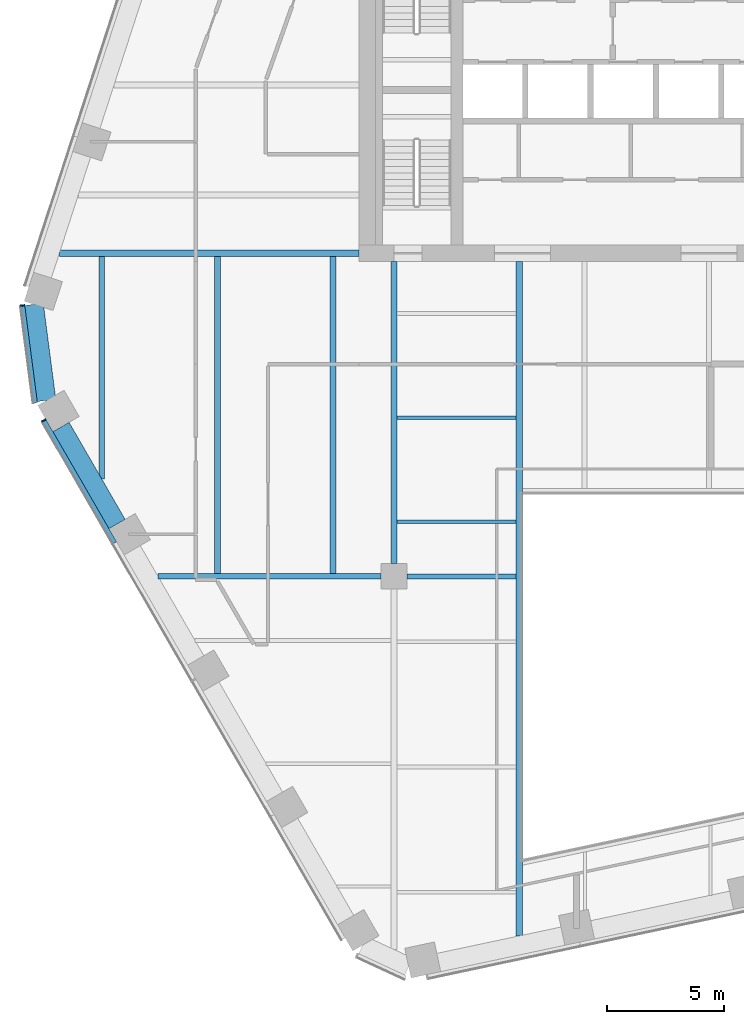
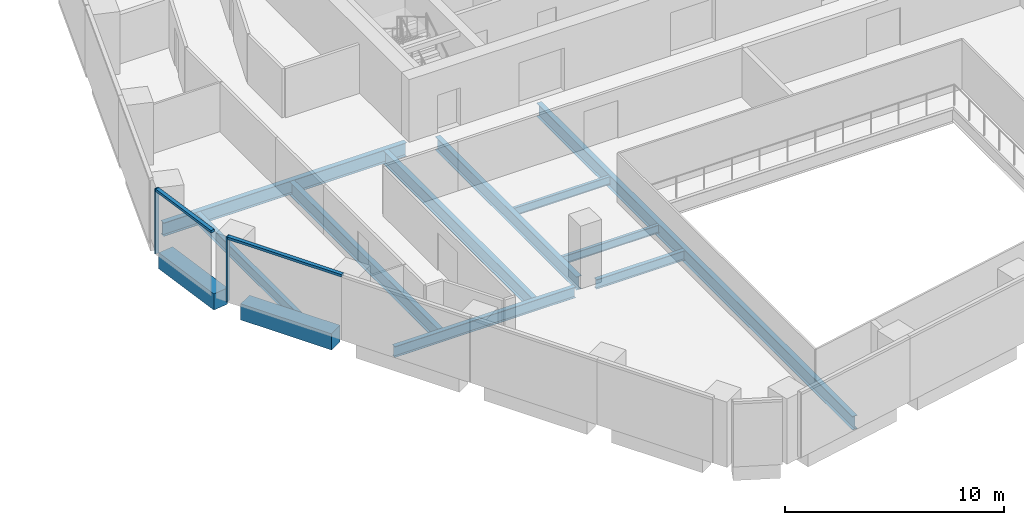
# One storey, part 3 of 17: 12 beams, 4 members, 2 elements without a shape of their own.
"""IFC4 building model written with IfcOpenShell, lengths in metres."""

from ifc_helpers import new_model, si_unit, direction, frame, origin, origin_2d, place, context, subcontext, project, spatial, rectangle, i_section, extrude, material, layer, layer_set, material_profile, profile_set, type_object, element, aggregate, save


model = new_model("IFC4")

# Units and contexts
model_context = context("Model", 3, precision=1e-05, world=origin(), true_north=direction((0.0, 1.0)))
body_context = subcontext(model_context, "Body", "Model", "MODEL_VIEW")
ifc_project = project(units=[si_unit("LENGTHUNIT", "METRE"), si_unit("AREAUNIT", "SQUARE_METRE"), si_unit("VOLUMEUNIT", "CUBIC_METRE"), si_unit("PLANEANGLEUNIT", "RADIAN"), si_unit("MASSUNIT", "GRAM", prefix="KILO")], contexts=[model_context])

# Site, building, storey
site_placement = place(None, origin())
site = spatial("IfcSite", under=ifc_project, at=site_placement, CompositionType="ELEMENT")
building_placement = place(site_placement, origin())
building = spatial("IfcBuilding", under=site, at=building_placement, Name="Isthmus Gate Tower", CompositionType="ELEMENT")
storey_placement = place(building_placement, frame((0.0, 0.0, 181.75)))
storey = spatial("IfcBuildingStorey", under=building, at=storey_placement, Name="L45", CompositionType="ELEMENT", Elevation=181.75)

# Curtain wall, member
ifc_material_1 = material(Name="Aluminium, pale champagne anodised", Category="aluminium")
ifc_layer = layer(ifc_material_1, 0.199951171875)
ifc_layer_set = layer_set([ifc_layer], Name="CW-1 UNITISED CURTAIN WALL 200 DEEP")
curtain_wall_type = type_object("IfcCurtainWallType", Name="CW-1 UNITISED CURTAIN WALL 200 DEEP", PredefinedType="NOTDEFINED", material=ifc_layer_set)
curtain_wall_1_placement = place(storey_placement, origin())
curtain_wall_1 = element("IfcCurtainWall", 1, at=curtain_wall_1_placement, inside=storey, type_object=curtain_wall_type, Name="CW-1 NW-SW L45", PredefinedType="NOTDEFINED")
ifc_material_2 = material(Name="Aluminium, pale champagne anodised", Category="aluminium")
ifc_material_profile_1 = material_profile(ifc_material_2, rectangle(XDim=0.06005859375, YDim=0.199951171875, at=origin_2d()), Name="60x200")
ifc_profile_set_1 = profile_set([ifc_material_profile_1], Name="Aluminium, pale champagne anodised")
member_type_1 = type_object("IfcMemberType", Name="CW-1 MULLION 60 X 200", PredefinedType="MULLION", material=ifc_profile_set_1)
member_1_placement = place(storey_placement, frame((-29.42724609375, -1.88525390625, 0.0), z_axis=(0.0, 0.0, 1.0), x_axis=(0.129164534, -0.991623175988, 0.0)))
member_1 = element("IfcMember", 2, at=member_1_placement, type_object=member_type_1, Name="CW-1 mullion", PredefinedType="MULLION", context=body_context, shape_type="SweptSolid", body=[
    extrude(rectangle(XDim=0.06005859375, YDim=0.199951171875, at=origin_2d()), origin(), (0.0, 0.0, 1.0), 3.64990234375),
])

curtain_wall_2_placement = place(storey_placement, origin())
curtain_wall_2 = element("IfcCurtainWall", 3, at=curtain_wall_2_placement, inside=storey, type_object=curtain_wall_type, Name="CW-1 SW L45", PredefinedType="NOTDEFINED")
member_2_placement = place(storey_placement, frame((-28.5146484375, -6.811279296875, 0.0), z_axis=(0.0, 0.0, 1.0), x_axis=(0.5, -0.866025403784, 0.0)))
member_2 = element("IfcMember", 4, at=member_2_placement, type_object=member_type_1, Name="CW-1 mullion", PredefinedType="MULLION", context=body_context, shape_type="SweptSolid", body=[
    extrude(rectangle(XDim=0.06005859375, YDim=0.199951171875, at=origin_2d()), origin(), (0.0, 0.0, 1.0), 3.64990234375),
])

# Member
ifc_material_3 = material(Name="Aluminium, pale champagne anodised", Category="aluminium")
ifc_material_profile_2 = material_profile(ifc_material_3, rectangle(XDim=0.199951171875, YDim=0.139892578125, at=origin_2d()), Name="200x140")
ifc_profile_set_2 = profile_set([ifc_material_profile_2], Name="Aluminium, pale champagne anodised")
member_type_2 = type_object("IfcMemberType", Name="CW-1 TRANSOM 200 X 140", PredefinedType="USERDEFINED", material=ifc_profile_set_2)
member_3_placement = place(storey_placement, frame((-29.42333984375, -1.9150390625, 3.580078125), z_axis=(0.129149481977, -0.991625136483, 0.0), x_axis=(0.991625136483, 0.129149481977, 0.0)))
member_3 = element("IfcMember", 5, at=member_3_placement, type_object=member_type_2, Name="CW-1 transom", ObjectType="TRANSOM", PredefinedType="USERDEFINED", context=body_context, shape_type="SweptSolid", body=[
    extrude(rectangle(XDim=0.199951171875, YDim=0.139892578125, at=origin_2d()), origin(), (0.0, 0.0, 1.0), 4.181396484375),
])

aggregate(curtain_wall_1, [member_1, member_3])

member_4_placement = place(storey_placement, frame((-28.49951171875, -6.837158203125, 3.580078125), z_axis=(0.499990697366, -0.866030774596, 0.0), x_axis=(0.866030774596, 0.499990697366, 0.0)))
member_4 = element("IfcMember", 6, at=member_4_placement, type_object=member_type_2, Name="CW-1 transom", ObjectType="TRANSOM", PredefinedType="USERDEFINED", context=body_context, shape_type="SweptSolid", body=[
    extrude(rectangle(XDim=0.199951171875, YDim=0.139892578125, at=origin_2d()), origin(), (0.0, 0.0, 1.0), 6.0400390625),
])

aggregate(curtain_wall_2, [member_2, member_4])

# Beams
ifc_material_4 = material(Name="Concrete f'c 60 MPa", Category="concrete")
ifc_material_profile_3 = material_profile(ifc_material_4, rectangle(XDim=0.800048828125, YDim=0.89990234375, at=origin_2d()), Name="RC 800X900")
ifc_profile_set_3 = profile_set([ifc_material_profile_3], Name="Concrete f'c 60 MPa")
beam_type_1 = type_object("IfcBeamType", Name="RC SPANDREL 800 X 900", PredefinedType="SPANDREL", material=ifc_profile_set_3)
beam_1_placement = place(storey_placement, frame((-25.37158203125, -11.255126953125, -0.449951171875), z_axis=(-0.499979284789, 0.866037363387, 0.0), x_axis=(-0.866037363387, -0.499979284789, 0.0)))
element("IfcBeam", 7, at=beam_1_placement, inside=storey, type_object=beam_type_1, Name="str-spandrel-L45-19", PredefinedType="SPANDREL", context=body_context, shape_type="SweptSolid", body=[
    extrude(rectangle(XDim=0.800048828125, YDim=0.89990234375, at=origin_2d()), origin(), (0.0, 0.0, 1.0), 4.800048828125),
])
beam_2_placement = place(storey_placement, frame((-28.392822265625, -5.955810546875, -0.449951171875), z_axis=(-0.129170777359, 0.991622362735, 0.0), x_axis=(-0.991622362735, -0.129170777359, 0.0)))
element("IfcBeam", 8, at=beam_2_placement, inside=storey, type_object=beam_type_1, Name="str-spandrel-L45-20", PredefinedType="SPANDREL", context=body_context, shape_type="SweptSolid", body=[
    extrude(rectangle(XDim=0.800048828125, YDim=0.89990234375, at=origin_2d()), origin(), (0.0, 0.0, 1.0), 4.15234375),
])
ifc_material_5 = material(Name="Structural steel ASTM A992 Gr 50", Category="steel")
ifc_material_profile_4 = material_profile(ifc_material_5, i_section(OverallWidth=0.15234375, OverallDepth=0.45068359375, WebThickness=0.0078125, FlangeThickness=0.010986328125, at=origin_2d()), Name="W18X35")
ifc_profile_set_4 = profile_set([ifc_material_profile_4], Name="Structural steel ASTM A992 Gr 50")
beam_type_2 = type_object("IfcBeamType", Name="STEEL FLOOR BEAM W18X35", PredefinedType="JOIST", material=ifc_profile_set_4)
for number, where, z_axis, x_axis, name in (
    (9, (-13.3681640625, -11.16259765625, -0.37548828125), (1.0, 0.0, 0.0), (0.0, 1.0, 0.0), "str-beam-L45-04-00"),
    (10, (-13.3681640625, -6.697509765625, -0.37548828125), (1.0, 0.0, 0.0), (0.0, 1.0, 0.0), "str-beam-L45-04-01"),
):
    element("IfcBeam", number, at=place(storey_placement, frame(where, z_axis=z_axis, x_axis=x_axis)), inside=storey, type_object=beam_type_2, Name=name, PredefinedType="JOIST", context=body_context, shape_type="SweptSolid", body=[
        extrude(i_section(OverallWidth=0.15234375, OverallDepth=0.45068359375, WebThickness=0.0078125, FlangeThickness=0.010986328125, at=origin_2d()), origin(), (0.0, 0.0, 1.0), 5.1015625),
    ])
ifc_material_6 = material(Name="Structural steel ASTM A992 Gr 50", Category="steel")
ifc_material_profile_5 = material_profile(ifc_material_6, i_section(OverallWidth=0.228515625, OverallDepth=0.603271484375, WebThickness=0.010986328125, FlangeThickness=0.014404296875, at=origin_2d()), Name="W24X68")
ifc_profile_set_5 = profile_set([ifc_material_profile_5], Name="Structural steel ASTM A992 Gr 50")
beam_type_3 = type_object("IfcBeamType", Name="STEEL FLOOR BEAM W24X68", PredefinedType="JOIST", material=ifc_profile_set_5)
beam_3_placement = place(storey_placement, frame((-26.028564453125, -9.317138671875, -0.45166015625), z_axis=(0.0, 1.0, 0.0), x_axis=(-1.0, 0.0, 0.0)))
element("IfcBeam", 11, at=beam_3_placement, inside=storey, type_object=beam_type_3, Name="str-beam-L45-00-00", PredefinedType="JOIST", context=body_context, shape_type="SweptSolid", body=[
    extrude(i_section(OverallWidth=0.228515625, OverallDepth=0.603271484375, WebThickness=0.010986328125, FlangeThickness=0.014404296875, at=origin_2d()), origin(), (0.0, 0.0, 1.0), 9.535400390625),
])
ifc_material_7 = material(Name="Structural steel ASTM A992 Gr 50", Category="steel")
ifc_material_profile_6 = material_profile(ifc_material_7, i_section(OverallWidth=0.263427734375, OverallDepth=0.749267578125, WebThickness=0.0126953125, FlangeThickness=0.015869140625, at=origin_2d()), Name="W30X90")
ifc_profile_set_6 = profile_set([ifc_material_profile_6], Name="Structural steel ASTM A992 Gr 50")
beam_type_4 = type_object("IfcBeamType", Name="STEEL FLOOR BEAM W30X90", PredefinedType="JOIST", material=ifc_profile_set_6)
for number, where, z_axis, x_axis, name in (
    (12, (-21.06982421875, -13.3857421875, -0.524658203125), (0.0, 1.0, 0.0), (-1.0, 0.0, 0.0), "str-beam-L45-00-01"),
    (13, (-16.111083984375, -13.3857421875, -0.524658203125), (0.0, 1.0, 0.0), (-1.0, 0.0, 0.0), "str-beam-L45-00-02"),
):
    element("IfcBeam", number, at=place(storey_placement, frame(where, z_axis=z_axis, x_axis=x_axis)), inside=storey, type_object=beam_type_4, Name=name, PredefinedType="JOIST", context=body_context, shape_type="SweptSolid", body=[
        extrude(i_section(OverallWidth=0.263427734375, OverallDepth=0.749267578125, WebThickness=0.0126953125, FlangeThickness=0.015869140625, at=origin_2d()), origin(), (0.0, 0.0, 1.0), 13.60400390625),
    ])
ifc_material_8 = material(Name="Structural steel ASTM A992 Gr 50", Category="steel")
ifc_material_profile_7 = material_profile(ifc_material_8, i_section(OverallWidth=0.20947265625, OverallDepth=0.533447265625, WebThickness=0.009521484375, FlangeThickness=0.015869140625, at=origin_2d()), Name="W21X62")
ifc_profile_set_7 = profile_set([ifc_material_profile_7], Name="Structural steel ASTM A992 Gr 50")
beam_type_5 = type_object("IfcBeamType", Name="STEEL GIRDER W21X62", PredefinedType="BEAM", material=ifc_profile_set_7)
beam_4_placement = place(storey_placement, frame((-12.949951171875, -13.5, -0.416748046875), z_axis=(1.0, 0.0, 0.0), x_axis=(0.0, 1.0, 0.0)))
element("IfcBeam", 14, at=beam_4_placement, inside=storey, type_object=beam_type_5, Name="str-girder-L45-02", PredefinedType="BEAM", context=body_context, shape_type="SweptSolid", body=[
    extrude(i_section(OverallWidth=0.20947265625, OverallDepth=0.533447265625, WebThickness=0.009521484375, FlangeThickness=0.015869140625, at=origin_2d()), origin(), (0.0, 0.0, 1.0), 4.683349609375),
])
ifc_material_9 = material(Name="Structural steel ASTM A992 Gr 50", Category="steel")
ifc_material_profile_8 = material_profile(ifc_material_9, i_section(OverallWidth=0.228515625, OverallDepth=0.6064453125, WebThickness=0.010986328125, FlangeThickness=0.017578125, at=origin_2d()), Name="W24X76")
ifc_profile_set_8 = profile_set([ifc_material_profile_8], Name="Structural steel ASTM A992 Gr 50")
beam_type_6 = type_object("IfcBeamType", Name="STEEL GIRDER W24X76", PredefinedType="BEAM", material=ifc_profile_set_8)
beam_5_placement = place(storey_placement, frame((-23.613525390625, -13.5, -0.453125), z_axis=(1.0, 0.0, 0.0), x_axis=(0.0, 1.0, 0.0)))
element("IfcBeam", 15, at=beam_5_placement, inside=storey, type_object=beam_type_6, Name="str-girder-L45-01", PredefinedType="BEAM", context=body_context, shape_type="SweptSolid", body=[
    extrude(i_section(OverallWidth=0.228515625, OverallDepth=0.6064453125, WebThickness=0.010986328125, FlangeThickness=0.017578125, at=origin_2d()), origin(), (0.0, 0.0, 1.0), 9.5634765625),
])
ifc_material_10 = material(Name="Structural steel ASTM A992 Gr 50", Category="steel")
ifc_material_profile_9 = material_profile(ifc_material_10, i_section(OverallWidth=0.263427734375, OverallDepth=0.749267578125, WebThickness=0.0126953125, FlangeThickness=0.015869140625, at=origin_2d()), Name="W30X90")
ifc_profile_set_9 = profile_set([ifc_material_profile_9], Name="Structural steel ASTM A992 Gr 50")
beam_type_7 = type_object("IfcBeamType", Name="STEEL GIRDER W30X90", PredefinedType="BEAM", material=ifc_profile_set_9)
beam_6_placement = place(storey_placement, frame((-13.5, -12.949951171875, -0.524658203125), z_axis=(0.0, 1.0, 0.0), x_axis=(-1.0, 0.0, 0.0)))
element("IfcBeam", 16, at=beam_6_placement, inside=storey, type_object=beam_type_7, Name="str-girder-L45-08", PredefinedType="BEAM", context=body_context, shape_type="SweptSolid", body=[
    extrude(i_section(OverallWidth=0.263427734375, OverallDepth=0.749267578125, WebThickness=0.0126953125, FlangeThickness=0.015869140625, at=origin_2d()), origin(), (0.0, 0.0, 1.0), 12.949951171875),
])
beam_7_placement = place(storey_placement, frame((-15.0, 0.35009765625, -0.524658203125), z_axis=(-1.0, 0.0, 0.0), x_axis=(0.0, -1.0, 0.0)))
element("IfcBeam", 17, at=beam_7_placement, inside=storey, type_object=beam_type_7, Name="str-girder-L45-13", PredefinedType="BEAM", context=body_context, shape_type="SweptSolid", body=[
    extrude(i_section(OverallWidth=0.263427734375, OverallDepth=0.749267578125, WebThickness=0.0126953125, FlangeThickness=0.015869140625, at=origin_2d()), origin(), (0.0, 0.0, 1.0), 12.8427734375),
])
ifc_material_11 = material(Name="Structural steel ASTM A992 Gr 50", Category="steel")
ifc_material_profile_10 = material_profile(ifc_material_11, i_section(OverallWidth=0.2666015625, OverallDepth=0.7587890625, WebThickness=0.014404296875, FlangeThickness=0.01904296875, at=origin_2d()), Name="W30X108")
ifc_profile_set_10 = profile_set([ifc_material_profile_10], Name="Structural steel ASTM A992 Gr 50")
beam_type_8 = type_object("IfcBeamType", Name="STEEL TRIMMER W30X108", PredefinedType="BEAM", material=ifc_profile_set_10)
beam_8_placement = place(storey_placement, frame((-8.13330078125, 0.0, -0.529296875), z_axis=(0.0, -1.0, 0.0), x_axis=(1.0, 0.0, 0.0)))
element("IfcBeam", 18, at=beam_8_placement, inside=storey, type_object=beam_type_8, Name="str-trimmer-L45-02", PredefinedType="BEAM", context=body_context, shape_type="SweptSolid", body=[
    extrude(i_section(OverallWidth=0.2666015625, OverallDepth=0.7587890625, WebThickness=0.014404296875, FlangeThickness=0.01904296875, at=origin_2d()), origin(), (0.0, 0.0, 1.0), 28.910888671875),
])

save(model, "model.ifc")
